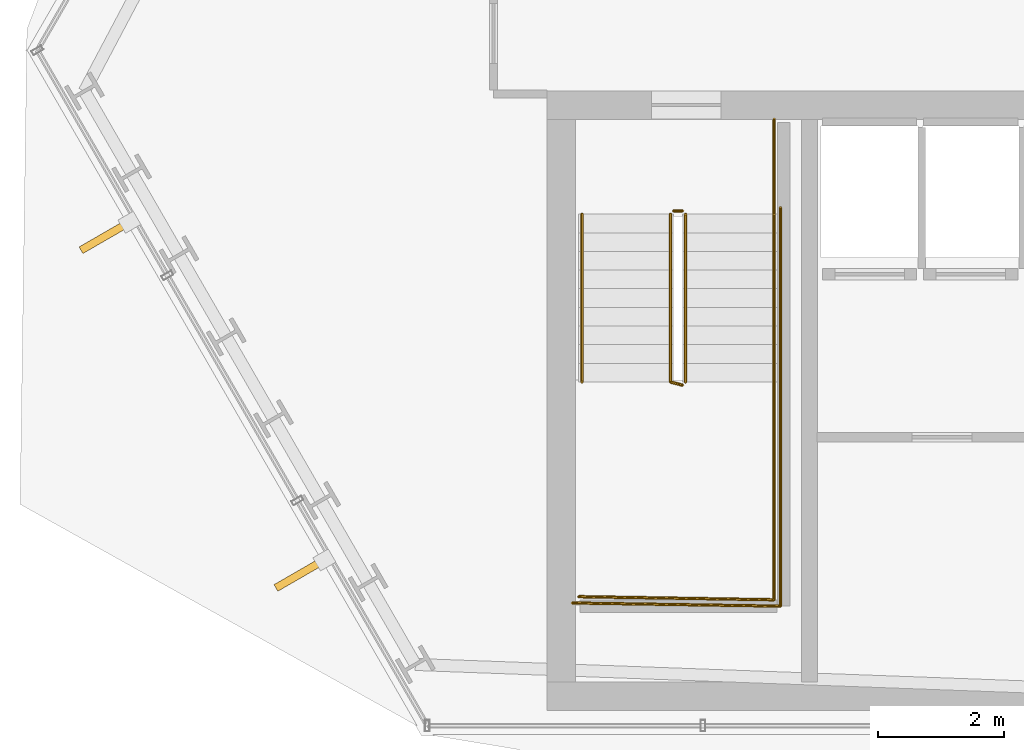
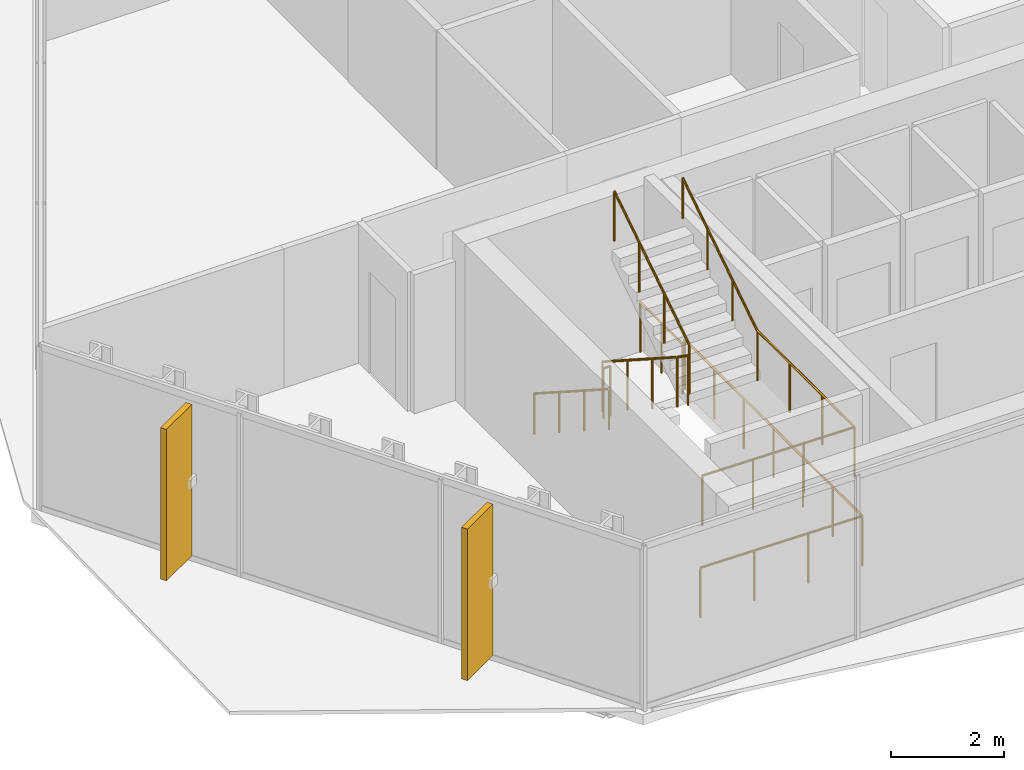
# One storey, part 31 of 36: 8 railings, 2 shading devices.
"""IFC4 building model written with IfcOpenShell, lengths in metres."""

import ifcopenshell
import ifcopenshell.guid

model = None  # the IFC model being written
_history = None  # IfcOwnerHistory: only IFC2X3 demands one
_inside = {}  # id of a spatial element -> (the spatial element, [elements in it])
_under = {}  # id of a project, library or spatial element -> (it, [spatial elements below it])
_declared = {}  # id of a project -> (the project, [libraries it declares])
_typed = {}  # id of a type object -> (the type object, [elements of that type])
_made_of = {}  # id of a material, layer set ... -> (it, [elements and type objects made of it])


def new_model(schema):
    """Start an empty IFC model of exactly this schema.

    Asked for "IFC4X3", IfcOpenShell would pick the latest addendum, in which some entities
    have other attributes; the version numbers below select the first issue.
    IFC2X3 requires an IfcOwnerHistory on every rooted entity: one is made here for all.
    """
    global model, _history
    if schema == "IFC4X3":
        model = ifcopenshell.file(schema_version=(4, 3, 0, 0))
    else:
        model = ifcopenshell.file(schema=schema)
    _inside.clear()
    _under.clear()
    _declared.clear()
    _typed.clear()
    _made_of.clear()
    _history = None
    if model.schema == "IFC2X3":
        org = make("IfcOrganization", Name="unknown")
        user = make(
            "IfcPersonAndOrganization",
            ThePerson=make("IfcPerson", FamilyName="unknown"),
            TheOrganization=org,
        )
        app = make(
            "IfcApplication",
            ApplicationDeveloper=org,
            Version="unknown",
            ApplicationFullName="unknown",
            ApplicationIdentifier="unknown",
        )
        _history = make(
            "IfcOwnerHistory",
            OwningUser=user,
            OwningApplication=app,
            ChangeAction="ADDED",
            CreationDate=0,
        )
    return model


def make(cls, **values):
    """One entity of the class cls with the attributes given. An attribute that is None is left unset."""
    return model.create_entity(
        cls, **{name: value for name, value in values.items() if value is not None}
    )


def rooted(cls, **values):
    """An entity with a GlobalId (a new one), such as an element, a storey or a relation."""
    return make(cls, GlobalId=ifcopenshell.guid.new(), OwnerHistory=_history, **values)


def si_unit(unit_type, name, prefix=None):
    """IfcSIUnit, for example si_unit("LENGTHUNIT", "METRE", prefix="MILLI")."""
    return make("IfcSIUnit", UnitType=unit_type, Prefix=prefix, Name=name)


def assignment(units):
    """IfcUnitAssignment: the units of a project."""
    return None if units is None else make("IfcUnitAssignment", Units=units)


def point(xyz):
    """IfcCartesianPoint."""
    return None if xyz is None else make("IfcCartesianPoint", Coordinates=xyz)


def direction(xyz):
    """IfcDirection."""
    return None if xyz is None else make("IfcDirection", DirectionRatios=xyz)


def frame(location, z_axis=None, x_axis=None):
    """IfcAxis2Placement3D, a coordinate frame: its origin and axes. An axis left out is left unset."""
    return make(
        "IfcAxis2Placement3D",
        Location=point(location),
        Axis=direction(z_axis),
        RefDirection=direction(x_axis),
    )


def frame_2d(location, x_axis=None):
    """IfcAxis2Placement2D, a coordinate frame in the plane: its origin and x axis."""
    return make(
        "IfcAxis2Placement2D", Location=point(location), RefDirection=direction(x_axis)
    )


def origin():
    """The frame at (0, 0, 0) with its axes left unset."""
    return frame((0.0, 0.0, 0.0))


def origin_2d():
    """The frame at (0, 0) in the plane with its x axis left unset."""
    return frame_2d((0.0, 0.0))


def place(relative_to, where):
    """IfcLocalPlacement: puts the frame where relative to a parent placement (None: the world)."""
    return make(
        "IfcLocalPlacement", PlacementRelTo=relative_to, RelativePlacement=where
    )


def context(
    kind, dimensions, precision=None, world=None, true_north=None, identifier=None
):
    """IfcGeometricRepresentationContext, for example the 3D "Model" context."""
    return make(
        "IfcGeometricRepresentationContext",
        ContextIdentifier=identifier,
        ContextType=kind,
        CoordinateSpaceDimension=dimensions,
        Precision=precision,
        WorldCoordinateSystem=world,
        TrueNorth=true_north,
    )


def subcontext(parent, identifier, kind, view, scale=None):
    """IfcGeometricRepresentationSubContext, for example "Body" below "Model"."""
    return make(
        "IfcGeometricRepresentationSubContext",
        ContextIdentifier=identifier,
        ContextType=kind,
        ParentContext=parent,
        TargetScale=scale,
        TargetView=view,
    )


def project(units=None, contexts=None):
    """IfcProject with its units and contexts."""
    return rooted(
        "IfcProject",
        Name="project",
        RepresentationContexts=contexts,
        UnitsInContext=assignment(units),
    )


def spatial(cls, under=None, at=None, **own):
    """A site, building, storey or space (cls), placed at a placement, below another one or the project."""
    s = rooted(cls, ObjectPlacement=at, **own)
    if under is not None:
        _under.setdefault(under.id(), (under, []))[1].append(s)
    return s


def profile(cls, at=None, kind="AREA", **sizes):
    """A parametric profile (cls). Its sizes go by their IFC names, for example OverallWidth=200.0."""
    return make(cls, ProfileType=kind, Position=at, **sizes)


def rectangle(**sizes):
    """IfcRectangleProfileDef."""
    return profile("IfcRectangleProfileDef", **sizes)


def circle(**sizes):
    """IfcCircleProfileDef."""
    return profile("IfcCircleProfileDef", **sizes)


def extrude(swept, where, along, depth):
    """IfcExtrudedAreaSolid: the profile swept, set in the frame where, extruded along a direction by depth."""
    return make(
        "IfcExtrudedAreaSolid",
        SweptArea=swept,
        Position=where,
        ExtrudedDirection=direction(along),
        Depth=depth,
    )


def shape(context_of_items, identifier, shape_type, items):
    """IfcShapeRepresentation: the items that make up one representation, for example the "Body"."""
    return make(
        "IfcShapeRepresentation",
        ContextOfItems=context_of_items,
        RepresentationIdentifier=identifier,
        RepresentationType=shape_type,
        Items=items,
    )


def material(Name=None, Category=None):
    """IfcMaterial."""
    return make("IfcMaterial", Name=Name, Category=Category)


def layer(
    of_material, thickness, ventilated=None, Name=None, Category=None, Priority=None
):
    """IfcMaterialLayer: one layer of a wall or slab, of a material (None: an air gap)."""
    return make(
        "IfcMaterialLayer",
        Material=of_material,
        LayerThickness=thickness,
        IsVentilated=ventilated,
        Name=Name,
        Category=Category,
        Priority=Priority,
    )


def layer_set(layers, Name=None):
    """IfcMaterialLayerSet."""
    return make("IfcMaterialLayerSet", MaterialLayers=layers, LayerSetName=Name)


def made_of(thing, what):
    """Note that an element or type object is made of a material, layer set ...; save() writes the relation."""
    if what is not None:
        _made_of.setdefault(what.id(), (what, []))[1].append(thing)
    return thing


def type_object(cls, material=None, **own):
    """A type object (cls), such as IfcWallType, which elements share."""
    return made_of(rooted(cls, **own), material)


def element(
    cls,
    number,
    at=None,
    inside=None,
    cuts=None,
    type_object=None,
    material=None,
    context=None,
    identifier="Body",
    shape_type=None,
    held_by="IfcProductDefinitionShape",
    body=None,
    shapes=None,
    **own,
):
    """One element of the class cls, such as IfcWall. Its Tag is "e" and its number.

    at: its placement. inside: the storey or other place that contains it. cuts: it is an
    opening in that element (IfcRelVoidsElement). A single representation is given by context,
    identifier, shape_type and body (its items); several are given by shapes. held_by: the class
    of the entity that holds the representations. save() writes the other relations.
    """
    e = rooted(cls, Tag="e%d" % number, ObjectPlacement=at, **own)
    if body is not None:
        shapes = [shape(context, identifier, shape_type, body)]
    if shapes is not None:
        e.Representation = make(held_by, Representations=shapes)
    if inside is not None:
        _inside.setdefault(inside.id(), (inside, []))[1].append(e)
    if cuts is not None:
        rooted(
            "IfcRelVoidsElement", RelatingBuildingElement=cuts, RelatedOpeningElement=e
        )
    if type_object is not None:
        _typed.setdefault(type_object.id(), (type_object, []))[1].append(e)
    return made_of(e, material)


def aggregate(whole, parts):
    """IfcRelAggregates: a whole, such as a stair, and the parts it consists of."""
    return rooted("IfcRelAggregates", RelatingObject=whole, RelatedObjects=parts)


def save(model, path):
    """Write the relations noted so far, then the file.

    IfcRelAggregates (storeys below a building ...), IfcRelContainedInSpatialStructure (elements
    in a storey), IfcRelDefinesByType, IfcRelAssociatesMaterial and IfcRelDeclares: one each for
    every whole, place, type object, material and project.
    """
    for whole, parts in _under.values():
        aggregate(whole, parts)
    for where, things in _inside.values():
        rooted(
            "IfcRelContainedInSpatialStructure",
            RelatedElements=things,
            RelatingStructure=where,
        )
    for kind, things in _typed.values():
        rooted("IfcRelDefinesByType", RelatedObjects=things, RelatingType=kind)
    for what, things in _made_of.values():
        rooted("IfcRelAssociatesMaterial", RelatedObjects=things, RelatingMaterial=what)
    for by, libraries in _declared.values():
        rooted("IfcRelDeclares", RelatingContext=by, RelatedDefinitions=libraries)
    model.write(path)


model = new_model("IFC4")

# Units and contexts
model_context = context("Model", 3, precision=1e-05, world=origin(), true_north=direction((0.0, 1.0)))
body_context = subcontext(model_context, "Body", "Model", "MODEL_VIEW")
ifc_project = project(units=[si_unit("LENGTHUNIT", "METRE"), si_unit("AREAUNIT", "SQUARE_METRE"), si_unit("VOLUMEUNIT", "CUBIC_METRE"), si_unit("PLANEANGLEUNIT", "RADIAN"), si_unit("MASSUNIT", "GRAM", prefix="KILO")], contexts=[model_context])

# Site, building, storey
site_placement = place(None, origin())
site = spatial("IfcSite", under=ifc_project, at=site_placement, CompositionType="ELEMENT")
building_placement = place(site_placement, origin())
building = spatial("IfcBuilding", under=site, at=building_placement, Name="Ndaravel Arena Tower", CompositionType="ELEMENT")
storey_placement = place(building_placement, frame((0.0, 0.0, 127.0)))
storey = spatial("IfcBuildingStorey", under=building, at=storey_placement, Name="L29", CompositionType="ELEMENT", Elevation=127.0)

# Railings
ifc_material_1 = material(Name="Steel S355", Category="steel")
ifc_layer_1 = layer(ifc_material_1, 0.06005859375)
ifc_layer_set_1 = layer_set([ifc_layer_1], Name="Steel S355")
railing_type_1 = type_object("IfcRailingType", Name="RAIL-STAIR-GD1100", PredefinedType="GUARDRAIL", material=ifc_layer_set_1)
railing_1_placement = place(storey_placement, frame((28.39990234375, 13.25, 0.18994140625)))
element("IfcRailing", 1, at=railing_1_placement, inside=storey, type_object=railing_type_1, Name="L29 ST-1 stair guard 1", PredefinedType="GUARDRAIL", context=body_context, shape_type="SweptSolid", body=[
    extrude(circle(Radius=0.02392578125, at=origin_2d()), frame((0.0, 0.0, 1.076171875), z_axis=(0.0, -0.840723540582, 0.54146461409), x_axis=(1.0, 0.0, 0.0)), (0.0, 0.0, 1.0), 3.157958984375),
    extrude(circle(Radius=0.02392578125, at=origin_2d()), frame((0.0, -2.655029296875, 2.7861328125), z_axis=(0.967074537263, -0.25449329928, 0.0), x_axis=(0.25449329928, 0.967074537263, 0.0)), (0.0, 0.0, 1.0), 0.19677734375),
    extrude(circle(Radius=0.02099609375, at=origin_2d()), origin(), (0.0, 0.0, 1.0), 1.052001953125),
    extrude(circle(Radius=0.02099609375, at=origin_2d()), frame((0.0, -0.885009765625, 0.570068359375)), (0.0, 0.0, 1.0), 1.052001953125),
    extrude(circle(Radius=0.02099609375, at=origin_2d()), frame((0.0, -1.77001953125, 1.139892578125)), (0.0, 0.0, 1.0), 1.052001953125),
    extrude(circle(Radius=0.02099609375, at=origin_2d()), frame((0.0, -2.655029296875, 1.7099609375)), (0.0, 0.0, 1.0), 1.052001953125),
    extrude(circle(Radius=0.02099609375, at=origin_2d()), frame((0.190185546875, -2.705078125, 1.7099609375)), (0.0, 0.0, 1.0), 1.052001953125),
])
railing_2_placement = place(storey_placement, frame((30.0400390625, 10.594970703125, 1.89990234375)))
element("IfcRailing", 2, at=railing_2_placement, inside=storey, type_object=railing_type_1, Name="L29 ST-1 stair guard 2", PredefinedType="GUARDRAIL", context=body_context, shape_type="SweptSolid", body=[
    extrude(circle(Radius=0.02392578125, at=origin_2d()), frame((0.0, 0.0, 1.076171875), z_axis=(0.0, -1.0, 0.0), x_axis=(1.0, 0.0, 0.0)), (0.0, 0.0, 1.0), 3.445068359375),
    extrude(circle(Radius=0.02392578125, at=origin_2d()), frame((0.0, -3.445068359375, 1.076171875), z_axis=(-0.999868861343, 0.016194447071, 0.0), x_axis=(-0.016194447071, -0.999868861343, 0.0)), (0.0, 0.0, 1.0), 3.090576171875),
    extrude(circle(Radius=0.02099609375, at=origin_2d()), origin(), (0.0, 0.0, 1.0), 1.052001953125),
    extrude(circle(Radius=0.02099609375, at=origin_2d()), frame((0.0, -1.1484375, 0.0)), (0.0, 0.0, 1.0), 1.052001953125),
    extrude(circle(Radius=0.02099609375, at=origin_2d()), frame((0.0, -2.296630859375, 0.0)), (0.0, 0.0, 1.0), 1.052001953125),
    extrude(circle(Radius=0.02099609375, at=origin_2d()), frame((0.0, -3.445068359375, 0.0)), (0.0, 0.0, 1.0), 1.052001953125),
    extrude(circle(Radius=0.02099609375, at=origin_2d()), frame((-1.030029296875, -3.428466796875, 0.0)), (0.0, 0.0, 1.0), 1.052001953125),
    extrude(circle(Radius=0.02099609375, at=origin_2d()), frame((-2.06005859375, -3.41162109375, 0.0)), (0.0, 0.0, 1.0), 1.052001953125),
    extrude(circle(Radius=0.02099609375, at=origin_2d()), frame((-3.090087890625, -3.39501953125, 0.0)), (0.0, 0.0, 1.0), 1.052001953125),
])
railing_3_placement = place(storey_placement, frame((28.639892578125, 10.594970703125, 2.090087890625)))
element("IfcRailing", 3, at=railing_3_placement, inside=storey, type_object=railing_type_1, Name="L29 ST-1 stair guard 3", PredefinedType="GUARDRAIL", context=body_context, shape_type="SweptSolid", body=[
    extrude(circle(Radius=0.02392578125, at=origin_2d()), frame((0.0, 0.0, 1.076171875), z_axis=(0.0, 0.840723540582, 0.54146461409), x_axis=(-1.0, 0.0, 0.0)), (0.0, 0.0, 1.0), 3.157958984375),
    extrude(circle(Radius=0.02099609375, at=origin_2d()), origin(), (0.0, 0.0, 1.0), 1.052001953125),
    extrude(circle(Radius=0.02099609375, at=origin_2d()), frame((0.0, 0.885009765625, 0.570068359375)), (0.0, 0.0, 1.0), 1.052001953125),
    extrude(circle(Radius=0.02099609375, at=origin_2d()), frame((0.0, 1.77001953125, 1.139892578125)), (0.0, 0.0, 1.0), 1.052001953125),
    extrude(circle(Radius=0.02099609375, at=origin_2d()), frame((0.0, 2.655029296875, 1.7099609375)), (0.0, 0.0, 1.0), 1.052001953125),
])
railing_4_placement = place(storey_placement, frame((28.449951171875, 13.300048828125, 0.0)))
element("IfcRailing", 4, at=railing_4_placement, inside=storey, type_object=railing_type_1, Name="L29 ST-1 stair guard 4", PredefinedType="GUARDRAIL", context=body_context, shape_type="SweptSolid", body=[
    extrude(circle(Radius=0.02392578125, at=origin_2d()), frame((0.0, 0.0, 1.076171875), z_axis=(1.0, 0.0, 0.0), x_axis=(0.0, 1.0, 0.0)), (0.0, 0.0, 1.0), 0.14013671875),
    extrude(circle(Radius=0.02099609375, at=origin_2d()), origin(), (0.0, 0.0, 1.0), 1.052001953125),
    extrude(circle(Radius=0.02099609375, at=origin_2d()), frame((0.14013671875, 0.0, 0.0)), (0.0, 0.0, 1.0), 1.052001953125),
])
railing_5_placement = place(storey_placement, frame((30.0400390625, 14.75, 0.0)))
element("IfcRailing", 5, at=railing_5_placement, inside=storey, type_object=railing_type_1, Name="L29 ST-1 stair guard 5", PredefinedType="GUARDRAIL", context=body_context, shape_type="SweptSolid", body=[
    extrude(circle(Radius=0.02392578125, at=origin_2d()), frame((0.0, 0.0, 1.076171875), z_axis=(0.0, -1.0, 0.0), x_axis=(1.0, 0.0, 0.0)), (0.0, 0.0, 1.0), 1.5),
    extrude(circle(Radius=0.02099609375, at=origin_2d()), origin(), (0.0, 0.0, 1.0), 1.052001953125),
    extrude(circle(Radius=0.02099609375, at=origin_2d()), frame((0.0, -0.75, 0.0)), (0.0, 0.0, 1.0), 1.052001953125),
    extrude(circle(Radius=0.02099609375, at=origin_2d()), frame((0.0, -1.5, 0.0)), (0.0, 0.0, 1.0), 1.052001953125),
])
railing_6_placement = place(storey_placement, frame((30.139892578125, 13.35009765625, 0.0)))
element("IfcRailing", 6, at=railing_6_placement, inside=storey, type_object=railing_type_1, Name="L29 ST-1 stair guard 6", PredefinedType="GUARDRAIL", context=body_context, shape_type="SweptSolid", body=[
    extrude(circle(Radius=0.02392578125, at=origin_2d()), frame((0.0, 0.0, 1.076171875), z_axis=(0.0, -1.0, 0.0), x_axis=(1.0, 0.0, 0.0)), (0.0, 0.0, 1.0), 6.300048828125),
    extrude(circle(Radius=0.02392578125, at=origin_2d()), frame((0.0, -6.300048828125, 1.076171875), z_axis=(-0.999884296952, 0.015211597839, 0.0), x_axis=(-0.015211597839, -0.999884296952, 0.0)), (0.0, 0.0, 1.0), 3.290283203125),
    extrude(circle(Radius=0.02099609375, at=origin_2d()), origin(), (0.0, 0.0, 1.0), 1.052001953125),
    extrude(circle(Radius=0.02099609375, at=origin_2d()), frame((0.0, -1.050048828125, 0.0)), (0.0, 0.0, 1.0), 1.052001953125),
    extrude(circle(Radius=0.02099609375, at=origin_2d()), frame((0.0, -2.10009765625, 0.0)), (0.0, 0.0, 1.0), 1.052001953125),
    extrude(circle(Radius=0.02099609375, at=origin_2d()), frame((0.0, -3.14990234375, 0.0)), (0.0, 0.0, 1.0), 1.052001953125),
    extrude(circle(Radius=0.02099609375, at=origin_2d()), frame((0.0, -4.199951171875, 0.0)), (0.0, 0.0, 1.0), 1.052001953125),
    extrude(circle(Radius=0.02099609375, at=origin_2d()), frame((0.0, -5.25, 0.0)), (0.0, 0.0, 1.0), 1.052001953125),
    extrude(circle(Radius=0.02099609375, at=origin_2d()), frame((0.0, -6.300048828125, 0.0)), (0.0, 0.0, 1.0), 1.052001953125),
    extrude(circle(Radius=0.02099609375, at=origin_2d()), frame((-1.0966796875, -6.283447265625, 0.0)), (0.0, 0.0, 1.0), 1.052001953125),
    extrude(circle(Radius=0.02099609375, at=origin_2d()), frame((-2.193115234375, -6.2666015625, 0.0)), (0.0, 0.0, 1.0), 1.052001953125),
    extrude(circle(Radius=0.02099609375, at=origin_2d()), frame((-3.289794921875, -6.25, 0.0)), (0.0, 0.0, 1.0), 1.052001953125),
])
ifc_material_2 = material(Name="Steel S355", Category="steel")
ifc_layer_2 = layer(ifc_material_2, 0.050048828125)
ifc_layer_set_2 = layer_set([ifc_layer_2], Name="Steel S355")
railing_type_2 = type_object("IfcRailingType", Name="RAIL-STAIR-HR920", PredefinedType="HANDRAIL", material=ifc_layer_set_2)
railing_7_placement = place(storey_placement, frame((27.0, 13.25, 0.18994140625)))
element("IfcRailing", 7, at=railing_7_placement, inside=storey, type_object=railing_type_2, Name="L29 ST-1 stair handrail 1", PredefinedType="HANDRAIL", context=body_context, shape_type="SweptSolid", body=[
    extrude(circle(Radius=0.02392578125, at=origin_2d()), frame((0.0, 0.0, 0.8759765625), z_axis=(0.0, -0.840723540582, 0.54146461409), x_axis=(1.0, 0.0, 0.0)), (0.0, 0.0, 1.0), 3.157958984375),
    extrude(circle(Radius=0.02099609375, at=origin_2d()), origin(), (0.0, 0.0, 1.0), 0.851806640625),
    extrude(circle(Radius=0.02099609375, at=origin_2d()), frame((0.0, -0.885009765625, 0.570068359375)), (0.0, 0.0, 1.0), 0.851806640625),
    extrude(circle(Radius=0.02099609375, at=origin_2d()), frame((0.0, -1.77001953125, 1.139892578125)), (0.0, 0.0, 1.0), 0.851806640625),
    extrude(circle(Radius=0.02099609375, at=origin_2d()), frame((0.0, -2.655029296875, 1.7099609375)), (0.0, 0.0, 1.0), 0.851806640625),
])
railing_8_placement = place(storey_placement, frame((30.0400390625, 10.594970703125, 2.090087890625)))
element("IfcRailing", 8, at=railing_8_placement, inside=storey, type_object=railing_type_2, Name="L29 ST-1 stair handrail 2", PredefinedType="HANDRAIL", context=body_context, shape_type="SweptSolid", body=[
    extrude(circle(Radius=0.02392578125, at=origin_2d()), frame((0.0, 0.0, 0.8759765625), z_axis=(0.0, 0.840723540582, 0.54146461409), x_axis=(-1.0, 0.0, 0.0)), (0.0, 0.0, 1.0), 3.157958984375),
    extrude(circle(Radius=0.02099609375, at=origin_2d()), origin(), (0.0, 0.0, 1.0), 0.851806640625),
    extrude(circle(Radius=0.02099609375, at=origin_2d()), frame((0.0, 0.885009765625, 0.570068359375)), (0.0, 0.0, 1.0), 0.851806640625),
    extrude(circle(Radius=0.02099609375, at=origin_2d()), frame((0.0, 1.77001953125, 1.139892578125)), (0.0, 0.0, 1.0), 0.851806640625),
    extrude(circle(Radius=0.02099609375, at=origin_2d()), frame((0.0, 2.655029296875, 1.7099609375)), (0.0, 0.0, 1.0), 0.851806640625),
])

# Shading devices
ifc_material_3 = material(Name="Masonry", Category="masonry")
shading_device_type = type_object("IfcShadingDeviceType", Name="SHD-MAZERAS-FIN", PredefinedType="SHUTTER", material=ifc_material_3)
for number, where, z_axis, x_axis, name in (
    (9, (19.468017578125, 12.90380859375, 0.14990234375), (0.0, 0.0, 1.0), (-0.866025403784, -0.5, 0.0), "L29 Mazeras Stone Solar Fin E6.1"),
    (10, (22.55126953125, 7.563232421875, 0.14990234375), (0.0, 0.0, 1.0), (-0.866025403784, -0.5, 0.0), "L29 Mazeras Stone Solar Fin E6.2"),
):
    element("IfcShadingDevice", number, at=place(storey_placement, frame(where, z_axis=z_axis, x_axis=x_axis)), inside=storey, type_object=shading_device_type, Name=name, PredefinedType="SHUTTER", context=body_context, shape_type="SweptSolid", body=[
        extrude(rectangle(XDim=0.89990234375, YDim=0.1201171875, at=origin_2d()), origin(), (0.0, 0.0, 1.0), 3.280029296875),
    ])

save(model, "model.ifc")
